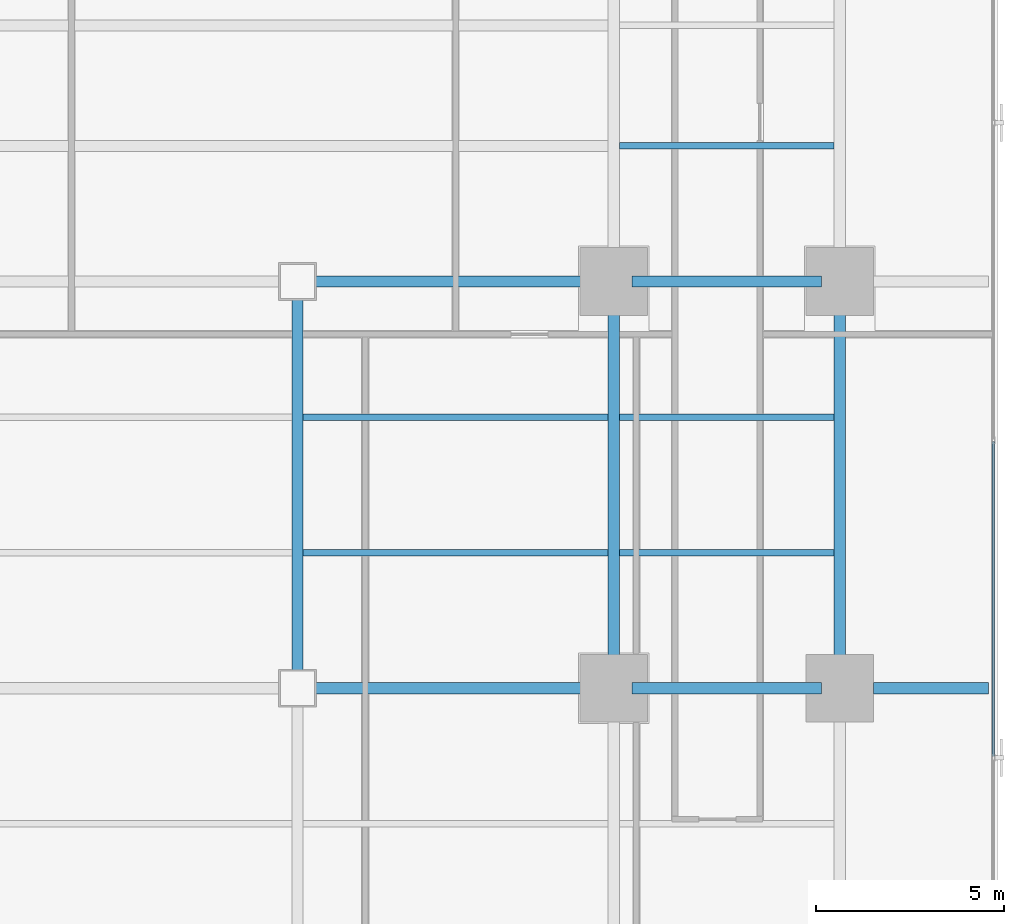
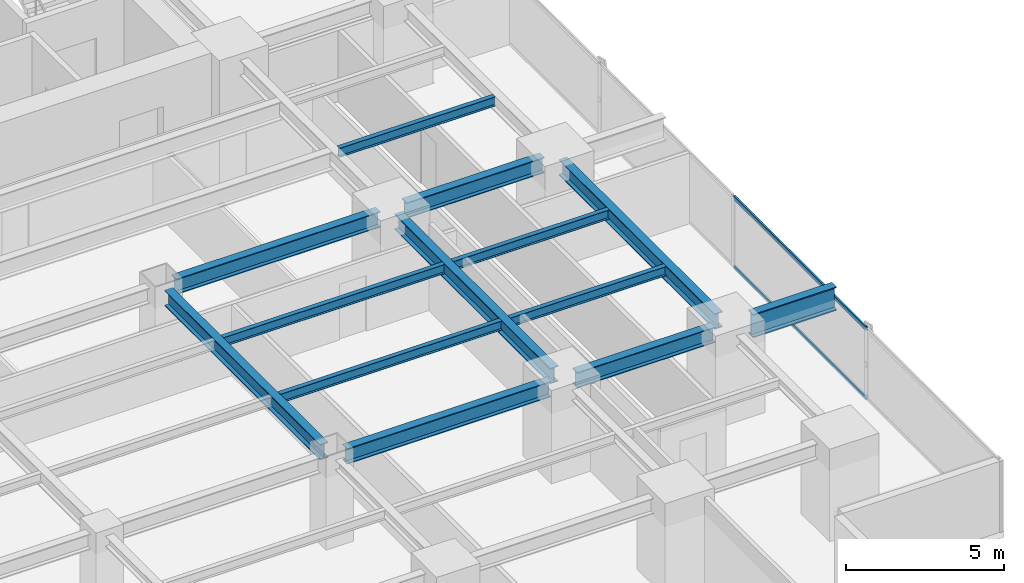
# One storey, part 13 of 32: 13 beams, 2 members, 1 element without a shape of its own.
"""IFC4 building model written with IfcOpenShell, lengths in metres."""

import ifcopenshell
import ifcopenshell.guid

model = None  # the IFC model being written
_history = None  # IfcOwnerHistory: only IFC2X3 demands one
_inside = {}  # id of a spatial element -> (the spatial element, [elements in it])
_under = {}  # id of a project, library or spatial element -> (it, [spatial elements below it])
_declared = {}  # id of a project -> (the project, [libraries it declares])
_typed = {}  # id of a type object -> (the type object, [elements of that type])
_made_of = {}  # id of a material, layer set ... -> (it, [elements and type objects made of it])


def new_model(schema):
    """Start an empty IFC model of exactly this schema.

    Asked for "IFC4X3", IfcOpenShell would pick the latest addendum, in which some entities
    have other attributes; the version numbers below select the first issue.
    IFC2X3 requires an IfcOwnerHistory on every rooted entity: one is made here for all.
    """
    global model, _history
    if schema == "IFC4X3":
        model = ifcopenshell.file(schema_version=(4, 3, 0, 0))
    else:
        model = ifcopenshell.file(schema=schema)
    _inside.clear()
    _under.clear()
    _declared.clear()
    _typed.clear()
    _made_of.clear()
    _history = None
    if model.schema == "IFC2X3":
        org = make("IfcOrganization", Name="unknown")
        user = make(
            "IfcPersonAndOrganization",
            ThePerson=make("IfcPerson", FamilyName="unknown"),
            TheOrganization=org,
        )
        app = make(
            "IfcApplication",
            ApplicationDeveloper=org,
            Version="unknown",
            ApplicationFullName="unknown",
            ApplicationIdentifier="unknown",
        )
        _history = make(
            "IfcOwnerHistory",
            OwningUser=user,
            OwningApplication=app,
            ChangeAction="ADDED",
            CreationDate=0,
        )
    return model


def make(cls, **values):
    """One entity of the class cls with the attributes given. An attribute that is None is left unset."""
    return model.create_entity(
        cls, **{name: value for name, value in values.items() if value is not None}
    )


def rooted(cls, **values):
    """An entity with a GlobalId (a new one), such as an element, a storey or a relation."""
    return make(cls, GlobalId=ifcopenshell.guid.new(), OwnerHistory=_history, **values)


def si_unit(unit_type, name, prefix=None):
    """IfcSIUnit, for example si_unit("LENGTHUNIT", "METRE", prefix="MILLI")."""
    return make("IfcSIUnit", UnitType=unit_type, Prefix=prefix, Name=name)


def assignment(units):
    """IfcUnitAssignment: the units of a project."""
    return None if units is None else make("IfcUnitAssignment", Units=units)


def point(xyz):
    """IfcCartesianPoint."""
    return None if xyz is None else make("IfcCartesianPoint", Coordinates=xyz)


def direction(xyz):
    """IfcDirection."""
    return None if xyz is None else make("IfcDirection", DirectionRatios=xyz)


def frame(location, z_axis=None, x_axis=None):
    """IfcAxis2Placement3D, a coordinate frame: its origin and axes. An axis left out is left unset."""
    return make(
        "IfcAxis2Placement3D",
        Location=point(location),
        Axis=direction(z_axis),
        RefDirection=direction(x_axis),
    )


def frame_2d(location, x_axis=None):
    """IfcAxis2Placement2D, a coordinate frame in the plane: its origin and x axis."""
    return make(
        "IfcAxis2Placement2D", Location=point(location), RefDirection=direction(x_axis)
    )


def origin():
    """The frame at (0, 0, 0) with its axes left unset."""
    return frame((0.0, 0.0, 0.0))


def origin_2d():
    """The frame at (0, 0) in the plane with its x axis left unset."""
    return frame_2d((0.0, 0.0))


def place(relative_to, where):
    """IfcLocalPlacement: puts the frame where relative to a parent placement (None: the world)."""
    return make(
        "IfcLocalPlacement", PlacementRelTo=relative_to, RelativePlacement=where
    )


def context(
    kind, dimensions, precision=None, world=None, true_north=None, identifier=None
):
    """IfcGeometricRepresentationContext, for example the 3D "Model" context."""
    return make(
        "IfcGeometricRepresentationContext",
        ContextIdentifier=identifier,
        ContextType=kind,
        CoordinateSpaceDimension=dimensions,
        Precision=precision,
        WorldCoordinateSystem=world,
        TrueNorth=true_north,
    )


def subcontext(parent, identifier, kind, view, scale=None):
    """IfcGeometricRepresentationSubContext, for example "Body" below "Model"."""
    return make(
        "IfcGeometricRepresentationSubContext",
        ContextIdentifier=identifier,
        ContextType=kind,
        ParentContext=parent,
        TargetScale=scale,
        TargetView=view,
    )


def project(units=None, contexts=None):
    """IfcProject with its units and contexts."""
    return rooted(
        "IfcProject",
        Name="project",
        RepresentationContexts=contexts,
        UnitsInContext=assignment(units),
    )


def spatial(cls, under=None, at=None, **own):
    """A site, building, storey or space (cls), placed at a placement, below another one or the project."""
    s = rooted(cls, ObjectPlacement=at, **own)
    if under is not None:
        _under.setdefault(under.id(), (under, []))[1].append(s)
    return s


def profile(cls, at=None, kind="AREA", **sizes):
    """A parametric profile (cls). Its sizes go by their IFC names, for example OverallWidth=200.0."""
    return make(cls, ProfileType=kind, Position=at, **sizes)


def hollow_rectangle(**sizes):
    """IfcRectangleHollowProfileDef."""
    return profile("IfcRectangleHollowProfileDef", **sizes)


def i_section(**sizes):
    """IfcIShapeProfileDef."""
    return profile("IfcIShapeProfileDef", **sizes)


def extrude(swept, where, along, depth):
    """IfcExtrudedAreaSolid: the profile swept, set in the frame where, extruded along a direction by depth."""
    return make(
        "IfcExtrudedAreaSolid",
        SweptArea=swept,
        Position=where,
        ExtrudedDirection=direction(along),
        Depth=depth,
    )


def shape(context_of_items, identifier, shape_type, items):
    """IfcShapeRepresentation: the items that make up one representation, for example the "Body"."""
    return make(
        "IfcShapeRepresentation",
        ContextOfItems=context_of_items,
        RepresentationIdentifier=identifier,
        RepresentationType=shape_type,
        Items=items,
    )


def source(mapping_origin, context_of_items, identifier, shape_type, items):
    """IfcRepresentationMap: a shape defined once, which mapped items show again and again."""
    return make(
        "IfcRepresentationMap",
        MappingOrigin=mapping_origin,
        MappedRepresentation=shape(context_of_items, identifier, shape_type, items),
    )


def transform(
    local_origin,
    x_axis=None,
    y_axis=None,
    z_axis=None,
    scale=None,
    scale2=None,
    scale3=None,
    uniform=True,
):
    """IfcCartesianTransformationOperator3D, or its non-uniform kind. x_axis, y_axis, z_axis: its Axis1, 2, 3."""
    if uniform:
        return make(
            "IfcCartesianTransformationOperator3D",
            Axis1=direction(x_axis),
            Axis2=direction(y_axis),
            LocalOrigin=point(local_origin),
            Scale=scale,
            Axis3=direction(z_axis),
        )
    return make(
        "IfcCartesianTransformationOperator3DnonUniform",
        Axis1=direction(x_axis),
        Axis2=direction(y_axis),
        LocalOrigin=point(local_origin),
        Scale=scale,
        Axis3=direction(z_axis),
        Scale2=scale2,
        Scale3=scale3,
    )


def mapped(mapping_source, mapping_target):
    """IfcMappedItem: shows the shape of a source again, moved by a transform."""
    return make(
        "IfcMappedItem", MappingSource=mapping_source, MappingTarget=mapping_target
    )


def material(Name=None, Category=None):
    """IfcMaterial."""
    return make("IfcMaterial", Name=Name, Category=Category)


def layer(
    of_material, thickness, ventilated=None, Name=None, Category=None, Priority=None
):
    """IfcMaterialLayer: one layer of a wall or slab, of a material (None: an air gap)."""
    return make(
        "IfcMaterialLayer",
        Material=of_material,
        LayerThickness=thickness,
        IsVentilated=ventilated,
        Name=Name,
        Category=Category,
        Priority=Priority,
    )


def layer_set(layers, Name=None):
    """IfcMaterialLayerSet."""
    return make("IfcMaterialLayerSet", MaterialLayers=layers, LayerSetName=Name)


def material_profile(
    of_material, cross_section, Name=None, Category=None, Priority=None
):
    """IfcMaterialProfile: a cross section and its material."""
    return make(
        "IfcMaterialProfile",
        Name=Name,
        Material=of_material,
        Profile=cross_section,
        Priority=Priority,
        Category=Category,
    )


def profile_set(profiles, Name=None, composite=None):
    """IfcMaterialProfileSet."""
    return make(
        "IfcMaterialProfileSet",
        Name=Name,
        MaterialProfiles=profiles,
        CompositeProfile=composite,
    )


def made_of(thing, what):
    """Note that an element or type object is made of a material, layer set ...; save() writes the relation."""
    if what is not None:
        _made_of.setdefault(what.id(), (what, []))[1].append(thing)
    return thing


def type_object(cls, material=None, **own):
    """A type object (cls), such as IfcWallType, which elements share."""
    return made_of(rooted(cls, **own), material)


def element(
    cls,
    number,
    at=None,
    inside=None,
    cuts=None,
    type_object=None,
    material=None,
    context=None,
    identifier="Body",
    shape_type=None,
    held_by="IfcProductDefinitionShape",
    body=None,
    shapes=None,
    **own,
):
    """One element of the class cls, such as IfcWall. Its Tag is "e" and its number.

    at: its placement. inside: the storey or other place that contains it. cuts: it is an
    opening in that element (IfcRelVoidsElement). A single representation is given by context,
    identifier, shape_type and body (its items); several are given by shapes. held_by: the class
    of the entity that holds the representations. save() writes the other relations.
    """
    e = rooted(cls, Tag="e%d" % number, ObjectPlacement=at, **own)
    if body is not None:
        shapes = [shape(context, identifier, shape_type, body)]
    if shapes is not None:
        e.Representation = make(held_by, Representations=shapes)
    if inside is not None:
        _inside.setdefault(inside.id(), (inside, []))[1].append(e)
    if cuts is not None:
        rooted(
            "IfcRelVoidsElement", RelatingBuildingElement=cuts, RelatedOpeningElement=e
        )
    if type_object is not None:
        _typed.setdefault(type_object.id(), (type_object, []))[1].append(e)
    return made_of(e, material)


def aggregate(whole, parts):
    """IfcRelAggregates: a whole, such as a stair, and the parts it consists of."""
    return rooted("IfcRelAggregates", RelatingObject=whole, RelatedObjects=parts)


def save(model, path):
    """Write the relations noted so far, then the file.

    IfcRelAggregates (storeys below a building ...), IfcRelContainedInSpatialStructure (elements
    in a storey), IfcRelDefinesByType, IfcRelAssociatesMaterial and IfcRelDeclares: one each for
    every whole, place, type object, material and project.
    """
    for whole, parts in _under.values():
        aggregate(whole, parts)
    for where, things in _inside.values():
        rooted(
            "IfcRelContainedInSpatialStructure",
            RelatedElements=things,
            RelatingStructure=where,
        )
    for kind, things in _typed.values():
        rooted("IfcRelDefinesByType", RelatedObjects=things, RelatingType=kind)
    for what, things in _made_of.values():
        rooted("IfcRelAssociatesMaterial", RelatedObjects=things, RelatingMaterial=what)
    for by, libraries in _declared.values():
        rooted("IfcRelDeclares", RelatingContext=by, RelatedDefinitions=libraries)
    model.write(path)


model = new_model("IFC4")

# Units and contexts
model_context = context("Model", 3, precision=1e-05, world=origin(), true_north=direction((0.0, 1.0)))
body_context = subcontext(model_context, "Body", "Model", "MODEL_VIEW")
ifc_project = project(units=[si_unit("LENGTHUNIT", "METRE"), si_unit("AREAUNIT", "SQUARE_METRE"), si_unit("VOLUMEUNIT", "CUBIC_METRE"), si_unit("PLANEANGLEUNIT", "RADIAN"), si_unit("MASSUNIT", "GRAM", prefix="KILO")], contexts=[model_context])

# Site, building, storey
site_placement = place(None, origin())
site = spatial("IfcSite", under=ifc_project, at=site_placement, CompositionType="ELEMENT")
building_placement = place(site_placement, origin())
building = spatial("IfcBuilding", under=site, at=building_placement, Name="Sumidabori Civic Tower", CompositionType="ELEMENT")
storey_placement = place(building_placement, frame((0.0, 0.0, 52.39990234375)))
storey = spatial("IfcBuildingStorey", under=building, at=storey_placement, Name="L13", CompositionType="ELEMENT", Elevation=52.39990234375)

# Beams
ifc_material_1 = material(Name="Steel SN490", Category="steel")
ifc_material_profile_1 = material_profile(ifc_material_1, i_section(OverallWidth=0.300048828125, OverallDepth=0.60009765625, WebThickness=0.015380859375, FlangeThickness=0.030029296875, at=origin_2d()), Name="HE 600 B")
ifc_profile_set_1 = profile_set([ifc_material_profile_1], Name="Steel SN490")
beam_type_1 = type_object("IfcBeamType", Name="BM-GIRD-600", PredefinedType="BEAM", material=ifc_profile_set_1)
shared_shape_1 = source(origin(), body_context, "Body", "SweptSolid", [
    extrude(i_section(OverallWidth=0.300048828125, OverallDepth=0.60009765625, WebThickness=0.015380859375, FlangeThickness=0.030029296875, at=origin_2d()), origin(), (0.0, 0.0, 1.0), 5.0400390625),
])
for number, where, z_axis, x_axis, name in (
    (1, (17.280029296875, -10.800048828125, 3.06005859375), (1.0, 0.0, 0.0), (0.0, 1.0, 0.0), "Primary Girder L13 GX-12"),
    (2, (17.280029296875, 0.0, 3.06005859375), (1.0, 0.0, 0.0), (0.0, 1.0, 0.0), "Primary Girder L13 GX-18"),
):
    element("IfcBeam", number, at=place(storey_placement, frame(where, z_axis=z_axis, x_axis=x_axis)), inside=storey, type_object=beam_type_1, Name=name, PredefinedType="BEAM", context=body_context, shape_type="MappedRepresentation", body=[
        mapped(shared_shape_1, transform((0.0, 0.0, 0.0), x_axis=(1.0, 0.0, 0.0), y_axis=(0.0, 1.0, 0.0), z_axis=(0.0, 0.0, 1.0), scale=1.0)),
    ])
shared_shape_2 = source(origin(), body_context, "Body", "SweptSolid", [
    extrude(i_section(OverallWidth=0.300048828125, OverallDepth=0.60009765625, WebThickness=0.015380859375, FlangeThickness=0.030029296875, at=origin_2d()), origin(), (0.0, 0.0, 1.0), 7.440185546875),
])
for number, where, z_axis, x_axis, name in (
    (3, (8.8798828125, -10.800048828125, 3.06005859375), (1.0, 0.0, 0.0), (0.0, 1.0, 0.0), "Primary Girder L13 GX-11"),
    (4, (8.8798828125, 0.0, 3.06005859375), (1.0, 0.0, 0.0), (0.0, 1.0, 0.0), "Primary Girder L13 GX-17"),
):
    element("IfcBeam", number, at=place(storey_placement, frame(where, z_axis=z_axis, x_axis=x_axis)), inside=storey, type_object=beam_type_1, Name=name, PredefinedType="BEAM", context=body_context, shape_type="MappedRepresentation", body=[
        mapped(shared_shape_2, transform((0.0, 0.0, 0.0), x_axis=(1.0, 0.0, 0.0), y_axis=(0.0, 1.0, 0.0), z_axis=(0.0, 0.0, 1.0), scale=1.0)),
    ])
shared_shape_3 = source(origin(), body_context, "Body", "SweptSolid", [
    extrude(i_section(OverallWidth=0.300048828125, OverallDepth=0.60009765625, WebThickness=0.015380859375, FlangeThickness=0.030029296875, at=origin_2d()), origin(), (0.0, 0.0, 1.0), 9.840087890625),
])
for number, where, z_axis, x_axis, name in (
    (5, (8.39990234375, -10.320068359375, 3.06005859375), (0.0, 1.0, 0.0), (-1.0, 0.0, 0.0), "Primary Girder L13 GY-34"),
    (6, (16.800048828125, -10.320068359375, 3.06005859375), (0.0, 1.0, 0.0), (-1.0, 0.0, 0.0), "Primary Girder L13 GY-36"),
    (7, (22.800048828125, -10.320068359375, 3.06005859375), (0.0, 1.0, 0.0), (-1.0, 0.0, 0.0), "Primary Girder L13 GY-40"),
):
    element("IfcBeam", number, at=place(storey_placement, frame(where, z_axis=z_axis, x_axis=x_axis)), inside=storey, type_object=beam_type_1, Name=name, PredefinedType="BEAM", context=body_context, shape_type="MappedRepresentation", body=[
        mapped(shared_shape_3, transform((0.0, 0.0, 0.0), x_axis=(1.0, 0.0, 0.0), y_axis=(0.0, 1.0, 0.0), z_axis=(0.0, 0.0, 1.0), scale=1.0)),
    ])
ifc_material_profile_2 = material_profile(ifc_material_1, i_section(OverallWidth=0.302001953125, OverallDepth=0.909912109375, WebThickness=0.02099609375, FlangeThickness=0.0400390625, at=origin_2d()), Name="HE 900 M")
ifc_profile_set_2 = profile_set([ifc_material_profile_2], Name="Steel SN490")
beam_type_2 = type_object("IfcBeamType", Name="BM-Z1-EDGE", PredefinedType="SPANDREL", material=ifc_profile_set_2)
shared_shape_4 = source(origin(), body_context, "Body", "SweptSolid", [
    extrude(i_section(OverallWidth=0.302001953125, OverallDepth=0.909912109375, WebThickness=0.02099609375, FlangeThickness=0.0400390625, at=origin_2d()), origin(), (0.0, 0.0, 1.0), 3.050048828125),
])
beam_placement = place(storey_placement, frame((23.699951171875, -10.800048828125, 2.905029296875), z_axis=(1.0, 0.0, 0.0), x_axis=(0.0, 1.0, 0.0)))
element("IfcBeam", 8, at=beam_placement, inside=storey, type_object=beam_type_2, Name="Perimeter Overhang Beam L13 E-43", PredefinedType="SPANDREL", context=body_context, shape_type="MappedRepresentation", body=[
    mapped(shared_shape_4, transform((0.0, 0.0, 0.0), x_axis=(1.0, 0.0, 0.0), y_axis=(0.0, 1.0, 0.0), z_axis=(0.0, 0.0, 1.0), scale=1.0)),
])
ifc_material_profile_3 = material_profile(ifc_material_1, i_section(OverallWidth=0.169921875, OverallDepth=0.360107421875, WebThickness=0.008056640625, FlangeThickness=0.0126953125, at=origin_2d()), Name="IPE 360")
ifc_profile_set_3 = profile_set([ifc_material_profile_3], Name="Steel SN490")
beam_type_3 = type_object("IfcBeamType", Name="BM-JST-360", PredefinedType="JOIST", material=ifc_profile_set_3)
shared_shape_5 = source(origin(), body_context, "Body", "SweptSolid", [
    extrude(i_section(OverallWidth=0.169921875, OverallDepth=0.360107421875, WebThickness=0.008056640625, FlangeThickness=0.0126953125, at=origin_2d()), origin(), (0.0, 0.0, 1.0), 5.699951171875),
])
for number, where, z_axis, x_axis, name in (
    (9, (16.949951171875, -7.199951171875, 3.18017578125), (1.0, 0.0, 0.0), (0.0, 1.0, 0.0), "Outer Bay Floor Joist L13 JSTO-50"),
    (10, (16.949951171875, -3.60009765625, 3.18017578125), (1.0, 0.0, 0.0), (0.0, 1.0, 0.0), "Outer Bay Floor Joist L13 JSTO-52"),
    (11, (16.949951171875, 3.60009765625, 3.18017578125), (1.0, 0.0, 0.0), (0.0, 1.0, 0.0), "Outer Bay Floor Joist L13 JSTO-54"),
):
    element("IfcBeam", number, at=place(storey_placement, frame(where, z_axis=z_axis, x_axis=x_axis)), inside=storey, type_object=beam_type_3, Name=name, PredefinedType="JOIST", context=body_context, shape_type="MappedRepresentation", body=[
        mapped(shared_shape_5, transform((0.0, 0.0, 0.0), x_axis=(1.0, 0.0, 0.0), y_axis=(0.0, 1.0, 0.0), z_axis=(0.0, 0.0, 1.0), scale=1.0)),
    ])
shared_shape_6 = source(origin(), body_context, "Body", "SweptSolid", [
    extrude(i_section(OverallWidth=0.169921875, OverallDepth=0.360107421875, WebThickness=0.008056640625, FlangeThickness=0.0126953125, at=origin_2d()), origin(), (0.0, 0.0, 1.0), 8.099853515625),
])
for number, where, z_axis, x_axis, name in (
    (12, (8.550048828125, -7.199951171875, 3.18017578125), (1.0, 0.0, 0.0), (0.0, 1.0, 0.0), "South Bay Floor Joist L13 JSTS-68"),
    (13, (8.550048828125, -3.60009765625, 3.18017578125), (1.0, 0.0, 0.0), (0.0, 1.0, 0.0), "South Bay Floor Joist L13 JSTS-72"),
):
    element("IfcBeam", number, at=place(storey_placement, frame(where, z_axis=z_axis, x_axis=x_axis)), inside=storey, type_object=beam_type_3, Name=name, PredefinedType="JOIST", context=body_context, shape_type="MappedRepresentation", body=[
        mapped(shared_shape_6, transform((0.0, 0.0, 0.0), x_axis=(1.0, 0.0, 0.0), y_axis=(0.0, 1.0, 0.0), z_axis=(0.0, 0.0, 1.0), scale=1.0)),
    ])

# Curtain wall, members
ifc_material_2 = material(Name="Anodised Bronze Aluminium AW-6063-T6", Category="aluminium")
ifc_layer = layer(ifc_material_2, 0.179931640625, Name="Anodised Bronze Aluminium AW-6063-T6")
ifc_layer_set = layer_set([ifc_layer], Name="Anodised Bronze Aluminium AW-6063-T6")
curtain_wall_type = type_object("IfcCurtainWallType", Name="CW-SYS-2", PredefinedType="NOTDEFINED", material=ifc_layer_set)
curtain_wall_placement = place(storey_placement, origin())
curtain_wall = element("IfcCurtainWall", 14, at=curtain_wall_placement, inside=storey, type_object=curtain_wall_type, Name="Curtain Wall CW:L13:R04", PredefinedType="NOTDEFINED")
ifc_material_profile_4 = material_profile(ifc_material_2, hollow_rectangle(XDim=0.06494140625, YDim=0.14990234375, WallThickness=0.0048828125, at=origin_2d()), Name="ALU TRANSOM 150x65")
ifc_profile_set_4 = profile_set([ifc_material_profile_4], Name="Anodised Bronze Aluminium AW-6063-T6")
member_type = type_object("IfcMemberType", Name="CW-TRN-150", PredefinedType="USERDEFINED", material=ifc_profile_set_4)
shared_shape_7 = source(origin(), body_context, "Body", "SweptSolid", [
    extrude(hollow_rectangle(XDim=0.06494140625, YDim=0.14990234375, WallThickness=0.0048828125, at=origin_2d()), origin(), (0.0, 0.0, 1.0), 8.35791015625),
])
member_1_placement = place(storey_placement, frame((26.8798828125, -12.60693359375, 0.03271484375), z_axis=(0.0, 1.0, 0.0), x_axis=(-1.0, 0.0, 0.0)))
member_1 = element("IfcMember", 15, at=member_1_placement, type_object=member_type, Name="CW-2 transom 2.1", ObjectType="TRANSOM", PredefinedType="USERDEFINED", context=body_context, shape_type="MappedRepresentation", body=[
    mapped(shared_shape_7, transform((0.0, 0.0, 0.0), x_axis=(1.0, 0.0, 0.0), y_axis=(0.0, 1.0, 0.0), z_axis=(0.0, 0.0, 1.0), scale=1.0)),
])
member_2_placement = place(storey_placement, frame((26.8798828125, -12.60693359375, 2.70751953125), z_axis=(0.0, 1.0, 0.0), x_axis=(-1.0, 0.0, 0.0)))
member_2 = element("IfcMember", 16, at=member_2_placement, type_object=member_type, Name="CW-2 transom 2.2", ObjectType="TRANSOM", PredefinedType="USERDEFINED", context=body_context, shape_type="MappedRepresentation", body=[
    mapped(shared_shape_7, transform((0.0, 0.0, 0.0), x_axis=(1.0, 0.0, 0.0), y_axis=(0.0, 1.0, 0.0), z_axis=(0.0, 0.0, 1.0), scale=1.0)),
])
aggregate(curtain_wall, [member_1, member_2])

save(model, "model.ifc")
